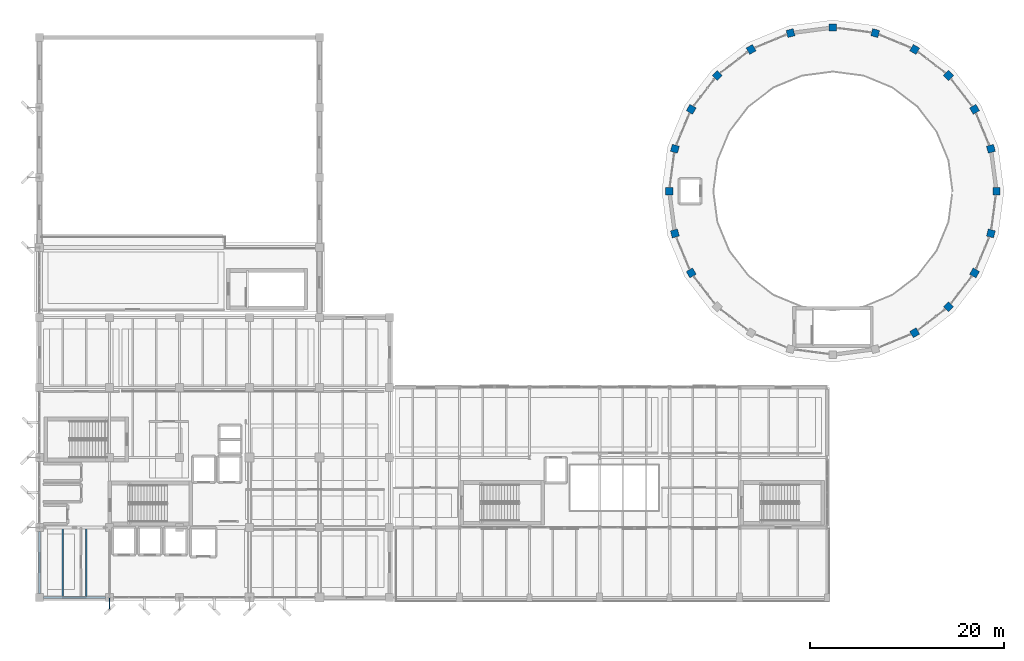
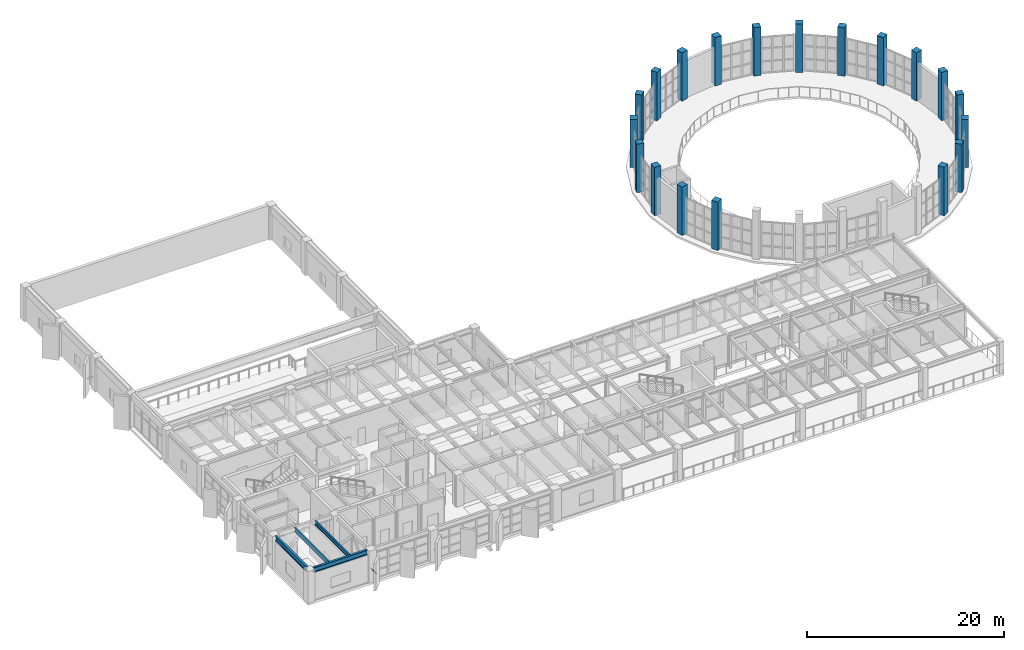
# One storey, part 5 of 59: 19 columns, 4 beams, 1 member.
"""IFC4 building model written with IfcOpenShell, lengths in metres."""

from ifc_helpers import new_model, si_unit, direction, frame, origin, origin_2d, place, context, subcontext, project, spatial, rectangle, hollow_rectangle, i_section, extrude, material, material_profile, profile_set, type_object, element, save


model = new_model("IFC4")

# Units and contexts
model_context = context("Model", 3, precision=1e-05, world=origin(), true_north=direction((0.0, 1.0)))
body_context = subcontext(model_context, "Body", "Model", "MODEL_VIEW")
ifc_project = project(units=[si_unit("LENGTHUNIT", "METRE"), si_unit("AREAUNIT", "SQUARE_METRE"), si_unit("VOLUMEUNIT", "CUBIC_METRE"), si_unit("PLANEANGLEUNIT", "RADIAN"), si_unit("MASSUNIT", "GRAM", prefix="KILO")], contexts=[model_context])

# Site, building, storey
site_placement = place(None, origin())
site = spatial("IfcSite", under=ifc_project, at=site_placement, CompositionType="ELEMENT")
building_placement = place(site_placement, origin())
building = spatial("IfcBuilding", under=site, at=building_placement, Name="Kandorven Conservatory and Botanical Research Centre", CompositionType="ELEMENT")
storey_placement = place(building_placement, frame((0.0, 0.0, 4.800048828125)))
storey = spatial("IfcBuildingStorey", under=building, at=storey_placement, Name="L01", CompositionType="ELEMENT", Elevation=4.800048828125)

# Columns
ifc_material_1 = material(Name="Concrete C40/50 (M50)", Category="concrete")
ifc_material_profile_1 = material_profile(ifc_material_1, rectangle(XDim=0.75, YDim=0.75, at=origin_2d()))
ifc_profile_set_1 = profile_set([ifc_material_profile_1], Name="Concrete C40/50 (M50)")
column_type = type_object("IfcColumnType", Name="Col_DC-01", PredefinedType="COLUMN", material=ifc_profile_set_1)
for number, where, z_axis, x_axis, name in (
    (1, (104.425048828125, 47.800048828125, 0.0), (0.0, 0.0, 1.0), (1.0, 0.0, 0.0), "Conservatory drum radial pier DC-01 L01 R01"),
    (2, (103.851806640625, 52.154541015625, 0.0), (0.0, 0.0, 1.0), (0.965925826289, 0.258819045103, 0.0), "Conservatory drum radial pier DC-01 L01 R02"),
    (3, (102.1708984375, 56.21240234375, 0.0), (0.0, 0.0, 1.0), (0.866025403784, 0.5, 0.0), "Conservatory drum radial pier DC-01 L01 R03"),
    (4, (99.4970703125, 59.697021484375, 0.0), (0.0, 0.0, 1.0), (0.707106781187, 0.707106781187, 0.0), "Conservatory drum radial pier DC-01 L01 R04"),
    (5, (96.012451171875, 62.370849609375, 0.0), (0.0, 0.0, 1.0), (0.5, 0.866025403784, 0.0), "Conservatory drum radial pier DC-01 L01 R05"),
    (6, (91.95458984375, 64.0517578125, 0.0), (0.0, 0.0, 1.0), (0.258819045103, 0.965925826289, 0.0), "Conservatory drum radial pier DC-01 L01 R06"),
    (7, (87.60009765625, 64.625, 0.0), (0.0, 0.0, 1.0), (0.0, 1.0, 0.0), "Conservatory drum radial pier DC-01 L01 R07"),
    (8, (83.245361328125, 64.0517578125, 0.0), (0.0, 0.0, 1.0), (-0.258819045103, 0.965925826289, 0.0), "Conservatory drum radial pier DC-01 L01 R08"),
    (9, (79.1875, 62.370849609375, 0.0), (0.0, 0.0, 1.0), (-0.5, 0.866025403784, 0.0), "Conservatory drum radial pier DC-01 L01 R09"),
    (10, (75.702880859375, 59.697021484375, 0.0), (0.0, 0.0, 1.0), (-0.707106781187, 0.707106781187, 0.0), "Conservatory drum radial pier DC-01 L01 R10"),
    (11, (73.029052734375, 56.21240234375, 0.0), (0.0, 0.0, 1.0), (-0.866025403784, 0.5, 0.0), "Conservatory drum radial pier DC-01 L01 R11"),
    (12, (71.348388671875, 52.154541015625, 0.0), (0.0, 0.0, 1.0), (-0.965925826289, 0.258819045103, 0.0), "Conservatory drum radial pier DC-01 L01 R12"),
    (13, (70.77490234375, 47.800048828125, 0.0), (0.0, 0.0, 1.0), (-1.0, 0.0, 0.0), "Conservatory drum radial pier DC-01 L01 R13"),
    (14, (71.348388671875, 43.4453125, 0.0), (0.0, 0.0, 1.0), (-0.965925826289, -0.258819045103, 0.0), "Conservatory drum radial pier DC-01 L01 R14"),
    (15, (73.029052734375, 39.387451171875, 0.0), (0.0, 0.0, 1.0), (-0.866025403784, -0.5, 0.0), "Conservatory drum radial pier DC-01 L01 R15"),
    (16, (96.012451171875, 33.22900390625, 0.0), (0.0, 0.0, 1.0), (0.5, -0.866025403784, 0.0), "Conservatory drum radial pier DC-01 L01 R21"),
    (17, (99.4970703125, 35.90283203125, 0.0), (0.0, 0.0, 1.0), (0.707106781187, -0.707106781187, 0.0), "Conservatory drum radial pier DC-01 L01 R22"),
    (18, (102.1708984375, 39.387451171875, 0.0), (0.0, 0.0, 1.0), (0.866025403784, -0.5, 0.0), "Conservatory drum radial pier DC-01 L01 R23"),
    (19, (103.851806640625, 43.4453125, 0.0), (0.0, 0.0, 1.0), (0.965925826289, -0.258819045103, 0.0), "Conservatory drum radial pier DC-01 L01 R24"),
):
    element("IfcColumn", number, at=place(storey_placement, frame(where, z_axis=z_axis, x_axis=x_axis)), inside=storey, type_object=column_type, Name=name, PredefinedType="COLUMN", context=body_context, shape_type="SweptSolid", body=[
        extrude(rectangle(XDim=0.75, YDim=0.75, at=origin_2d()), origin(), (0.0, 0.0, 1.0), 6.0),
    ])

# Beams
ifc_material_2 = material(Name="Steel S355 (IS 2062 E350)", Category="steel")
ifc_material_profile_2 = material_profile(ifc_material_2, i_section(OverallWidth=0.25, OverallDepth=0.60009765625, WebThickness=0.01171875, FlangeThickness=0.023681640625, at=origin_2d()))
ifc_profile_set_2 = profile_set([ifc_material_profile_2], Name="Steel S355 (IS 2062 E350)")
beam_type_1 = type_object("IfcBeamType", Name="Beam_FG-01", PredefinedType="USERDEFINED", material=ifc_profile_set_2)
for number, where, z_axis, x_axis, name in (
    (20, (6.4150390625, 6.0, 3.64990234375), (1.0, 0.0, 0.0), (0.0, 1.0, 0.0), "Primary girder FG-01 TWR L01"),
    (21, (6.0, 6.4150390625, 3.64990234375), (0.0, 1.0, 0.0), (-1.0, 0.0, 0.0), "Primary girder FG-01 TWR L01"),
):
    element("IfcBeam", number, at=place(storey_placement, frame(where, z_axis=z_axis, x_axis=x_axis)), inside=storey, type_object=beam_type_1, Name=name, ObjectType="GIRDER", PredefinedType="USERDEFINED", context=body_context, shape_type="SweptSolid", body=[
        extrude(i_section(OverallWidth=0.25, OverallDepth=0.60009765625, WebThickness=0.01171875, FlangeThickness=0.023681640625, at=origin_2d()), origin(), (0.0, 0.0, 1.0), 6.369873046875),
    ])
ifc_material_3 = material(Name="Steel S355 (IS 2062 E350)", Category="steel")
ifc_material_profile_3 = material_profile(ifc_material_3, i_section(OverallWidth=0.179931640625, OverallDepth=0.5, WebThickness=0.01025390625, FlangeThickness=0.01708984375, at=origin_2d()))
ifc_profile_set_3 = profile_set([ifc_material_profile_3], Name="Steel S355 (IS 2062 E350)")
beam_type_2 = type_object("IfcBeamType", Name="Beam_SB-03", PredefinedType="BEAM", material=ifc_profile_set_3)
for number, where, z_axis, x_axis, name in (
    (22, (8.39990234375, 6.110107421875, 3.699951171875), (0.0, 1.0, 0.0), (-1.0, 0.0, 0.0), "Composite secondary beam SB-03 TWR L01"),
    (23, (10.800048828125, 6.110107421875, 3.699951171875), (0.0, 1.0, 0.0), (-1.0, 0.0, 0.0), "Composite secondary beam SB-03 TWR L01"),
):
    element("IfcBeam", number, at=place(storey_placement, frame(where, z_axis=z_axis, x_axis=x_axis)), inside=storey, type_object=beam_type_2, Name=name, PredefinedType="BEAM", context=body_context, shape_type="SweptSolid", body=[
        extrude(i_section(OverallWidth=0.179931640625, OverallDepth=0.5, WebThickness=0.01025390625, FlangeThickness=0.01708984375, at=origin_2d()), origin(), (0.0, 0.0, 1.0), 6.97998046875),
    ])

# Member
ifc_material_4 = material(Name="Steel S355 (IS 2062 E350)", Category="steel")
ifc_material_profile_4 = material_profile(ifc_material_4, hollow_rectangle(XDim=0.074951171875, YDim=0.14990234375, WallThickness=0.006103515625, at=origin_2d()))
ifc_profile_set_4 = profile_set([ifc_material_profile_4], Name="Steel S355 (IS 2062 E350)")
member_type = type_object("IfcMemberType", Name="Mem_SF-01", PredefinedType="STRUT", material=ifc_profile_set_4)
member_placement = place(storey_placement, frame((13.199951171875, 6.0, 1.5), z_axis=(0.0, -1.0, 0.0), x_axis=(1.0, 0.0, 0.0)))
element("IfcMember", 24, at=member_placement, inside=storey, type_object=member_type, Name="Solar fin steel outrigger strut SF-01 #1", PredefinedType="STRUT", context=body_context, shape_type="SweptSolid", body=[
    extrude(hollow_rectangle(XDim=0.074951171875, YDim=0.14990234375, WallThickness=0.006103515625, at=origin_2d()), origin(), (0.0, 0.0, 1.0), 1.219970703125),
])

save(model, "model.ifc")
